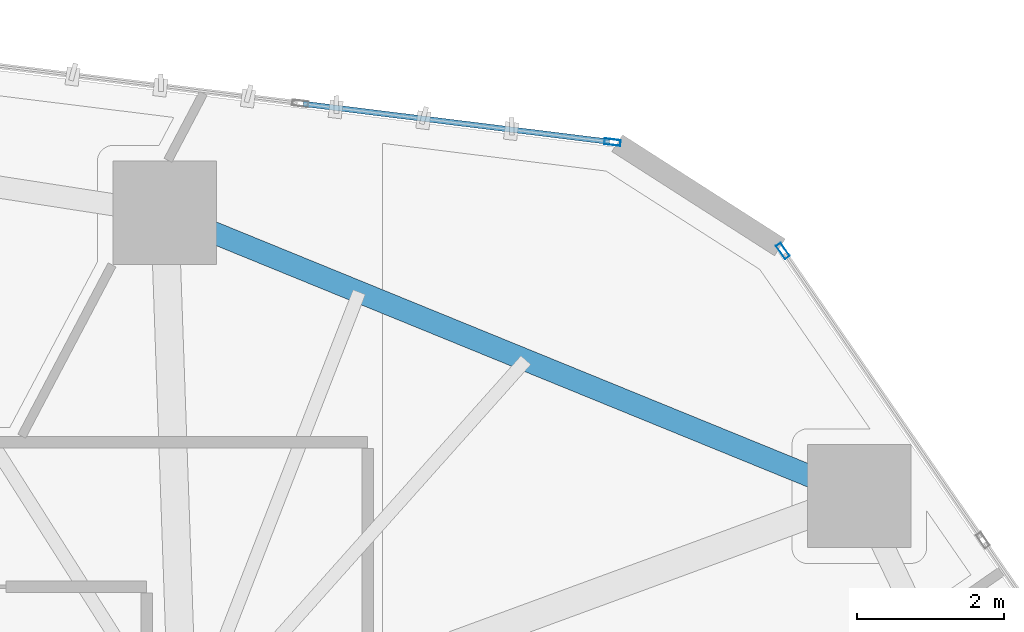
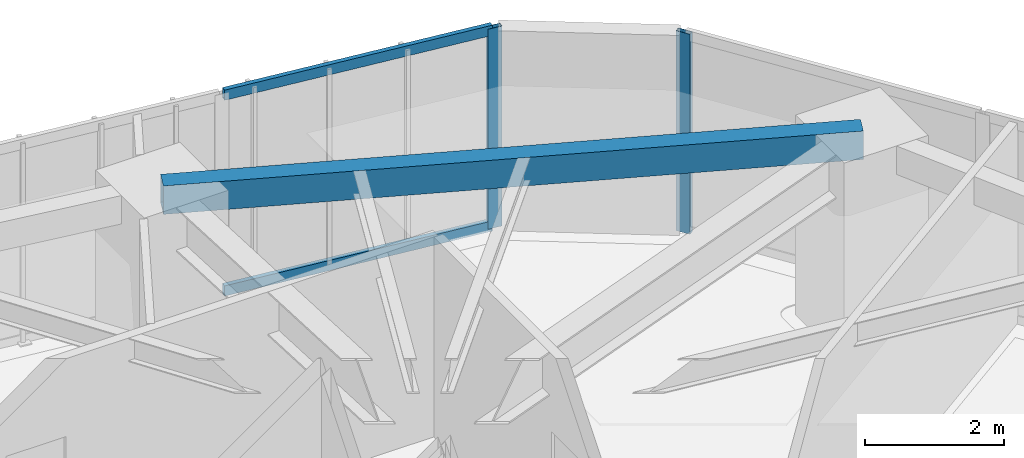
# One storey, part 16 of 23: 4 members, 1 beam, 2 elements without a shape of their own.
"""IFC4 building model written with IfcOpenShell, lengths in metres."""

from ifc_helpers import new_model, si_unit, direction, frame, origin, origin_2d, place, context, subcontext, project, spatial, hollow_rectangle, extrude, source, transform, mapped, material, layer, layer_set, material_profile, profile_set, type_object, type_shapes, element, aggregate, save


model = new_model("IFC4")

# Units and contexts
model_context = context("Model", 3, precision=1e-05, world=origin(), true_north=direction((0.0, 1.0)))
body_context = subcontext(model_context, "Body", "Model", "MODEL_VIEW")
ifc_project = project(units=[si_unit("LENGTHUNIT", "METRE"), si_unit("AREAUNIT", "SQUARE_METRE"), si_unit("VOLUMEUNIT", "CUBIC_METRE"), si_unit("PLANEANGLEUNIT", "RADIAN"), si_unit("MASSUNIT", "GRAM", prefix="KILO")], contexts=[model_context])

# Site, building, storey
site_placement = place(None, origin())
site = spatial("IfcSite", under=ifc_project, at=site_placement, CompositionType="ELEMENT")
building_placement = place(site_placement, origin())
building = spatial("IfcBuilding", under=site, at=building_placement, Name="Talar Marvaseh", CompositionType="ELEMENT")
storey_placement = place(building_placement, frame((0.0, 0.0, 69.60009765625)))
storey = spatial("IfcBuildingStorey", under=building, at=storey_placement, Name="L17", CompositionType="ELEMENT", Elevation=69.60009765625)

# Beam
ifc_material_1 = material(Name="Steel S355", Category="steel")
ifc_material_profile_1 = material_profile(ifc_material_1, hollow_rectangle(XDim=0.300048828125, YDim=0.5, WallThickness=0.02001953125, at=origin_2d()), Name="RHS500x300x20")
ifc_profile_set_1 = profile_set([ifc_material_profile_1], Name="Steel S355")
beam_type = type_object("IfcBeamType", Name="Zone 1 Perimeter Spandrel Beam RHS500x300x20", PredefinedType="SPANDREL", material=ifc_profile_set_1)
beam_placement = place(storey_placement, frame((33.0458984375, 44.117919921875, 3.27001953125), z_axis=(0.92586732306, -0.377848779395, 0.0), x_axis=(0.377848779395, 0.92586732306, 0.0)))
element("IfcBeam", 1, at=beam_placement, inside=storey, type_object=beam_type, Name="L17 Zone 1 Perimeter Spandrel Beam RHS500x300x20", PredefinedType="SPANDREL", context=body_context, shape_type="SweptSolid", body=[
    extrude(hollow_rectangle(XDim=0.300048828125, YDim=0.5, WallThickness=0.02001953125, at=origin_2d()), origin(), (0.0, 0.0, 1.0), 10.186279296875),
])

# Curtain wall, member
ifc_material_2 = material(Name="Architectural Aluminium", Category="aluminium")
ifc_layer = layer(ifc_material_2, 0.219970703125)
ifc_layer_set = layer_set([ifc_layer], Name="Architectural Aluminium")
curtain_wall_type = type_object("IfcCurtainWallType", Name="Unitised Low-E Museum Curtain Wall Z1", PredefinedType="NOTDEFINED", material=ifc_layer_set)
curtain_wall_1_placement = place(storey_placement, origin())
curtain_wall_1 = element("IfcCurtainWall", 2, at=curtain_wall_1_placement, inside=storey, type_object=curtain_wall_type, Name="L17 Unitised Low-E Museum Curtain Wall Z1", PredefinedType="NOTDEFINED")
ifc_material_profile_2 = material_profile(ifc_material_2, hollow_rectangle(XDim=0.080078125, YDim=0.219970703125, WallThickness=0.0048828125, at=origin_2d()), Name="RHS220x80x5")
ifc_profile_set_2 = profile_set([ifc_material_profile_2], Name="Architectural Aluminium")
member_type_1 = type_object("IfcMemberType", Name="Unitised Curtain Wall Heavy Mullion RHS220x80x5", PredefinedType="MULLION", material=ifc_profile_set_2)
shared_shape_1 = source(origin(), body_context, "Body", "SweptSolid", [
    extrude(hollow_rectangle(XDim=0.080078125, YDim=0.219970703125, WallThickness=0.0048828125, at=origin_2d()), origin(), (0.0, 0.0, 1.0), 3.52001953125),
])
type_shapes(member_type_1, [shared_shape_1])
member_1_placement = place(storey_placement, frame((39.12548828125, 45.07666015625, 0.0), z_axis=(0.0, 0.0, 1.0), x_axis=(0.123049205824, 0.992400570811, 0.0)))
member_1 = element("IfcMember", 3, at=member_1_placement, type_object=member_type_1, Name="CW-Z1 mullion 5", PredefinedType="MULLION", context=body_context, shape_type="MappedRepresentation", body=[
    mapped(shared_shape_1, transform((0.0, 0.0, 0.0), x_axis=(1.0, 0.0, 0.0), y_axis=(0.0, 1.0, 0.0), z_axis=(0.0, 0.0, 1.0), scale=1.0)),
])

curtain_wall_2_placement = place(storey_placement, origin())
curtain_wall_2 = element("IfcCurtainWall", 4, at=curtain_wall_2_placement, inside=storey, type_object=curtain_wall_type, Name="L17 Unitised Low-E Museum Curtain Wall Z1", PredefinedType="NOTDEFINED")
member_2_placement = place(storey_placement, frame((41.439453125, 43.598876953125, 0.0), z_axis=(0.0, 0.0, 1.0), x_axis=(0.822602682071, 0.568616590902, 0.0)))
member_2 = element("IfcMember", 5, at=member_2_placement, type_object=member_type_1, Name="CW-Z1 mullion 1", PredefinedType="MULLION", context=body_context, shape_type="MappedRepresentation", body=[
    mapped(shared_shape_1, transform((0.0, 0.0, 0.0), x_axis=(1.0, 0.0, 0.0), y_axis=(0.0, 1.0, 0.0), z_axis=(0.0, 0.0, 1.0), scale=1.0)),
])
aggregate(curtain_wall_2, [member_2])

# Member
ifc_material_profile_3 = material_profile(ifc_material_2, hollow_rectangle(XDim=0.074951171875, YDim=0.179931640625, WallThickness=0.0048828125, at=origin_2d()), Name="RHS180x75x5")
ifc_profile_set_3 = profile_set([ifc_material_profile_3], Name="Architectural Aluminium")
member_type_2 = type_object("IfcMemberType", Name="Unitised Curtain Wall Transom RHS180x75x5", PredefinedType="USERDEFINED", material=ifc_profile_set_3)
shared_shape_2 = source(origin(), body_context, "Body", "SweptSolid", [
    extrude(hollow_rectangle(XDim=0.074951171875, YDim=0.179931640625, WallThickness=0.0048828125, at=origin_2d()), origin(), (0.0, 0.0, 1.0), 4.19189453125),
])
type_shapes(member_type_2, [shared_shape_2])
member_3_placement = place(storey_placement, frame((34.92578125, 45.597412109375, 0.037353515625), z_axis=(0.992398370553, -0.123066949761, 0.0), x_axis=(0.123066949761, 0.992398370553, 0.0)))
member_3 = element("IfcMember", 6, at=member_3_placement, type_object=member_type_2, Name="CW-Z1 transom 4.1", ObjectType="TRANSOM", PredefinedType="USERDEFINED", context=body_context, shape_type="MappedRepresentation", body=[
    mapped(shared_shape_2, transform((0.0, 0.0, 0.0), x_axis=(1.0, 0.0, 0.0), y_axis=(0.0, 1.0, 0.0), z_axis=(0.0, 0.0, 1.0), scale=1.0)),
])

member_4_placement = place(storey_placement, frame((34.92578125, 45.597412109375, 3.482421875), z_axis=(0.992398370553, -0.123066949761, 0.0), x_axis=(0.123066949761, 0.992398370553, 0.0)))
member_4 = element("IfcMember", 7, at=member_4_placement, type_object=member_type_2, Name="CW-Z1 transom 4.2", ObjectType="TRANSOM", PredefinedType="USERDEFINED", context=body_context, shape_type="MappedRepresentation", body=[
    mapped(shared_shape_2, transform((0.0, 0.0, 0.0), x_axis=(1.0, 0.0, 0.0), y_axis=(0.0, 1.0, 0.0), z_axis=(0.0, 0.0, 1.0), scale=1.0)),
])

aggregate(curtain_wall_1, [member_1, member_3, member_4])

save(model, "model.ifc")
